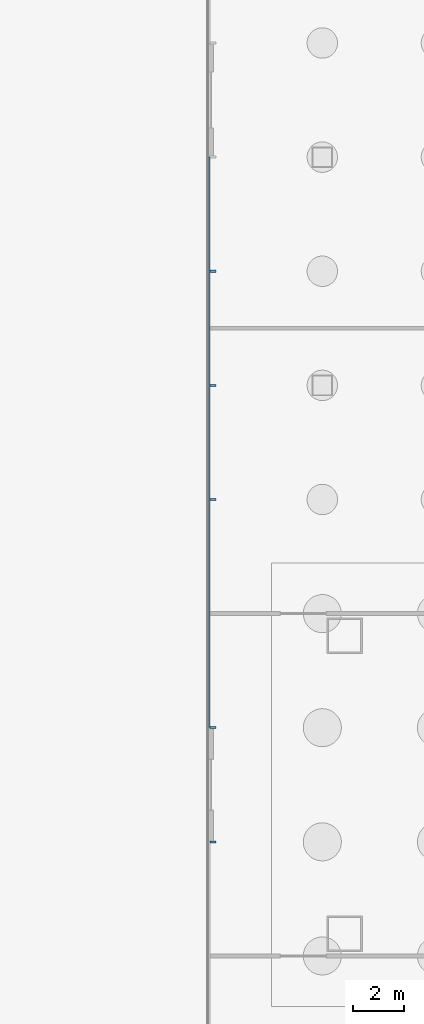
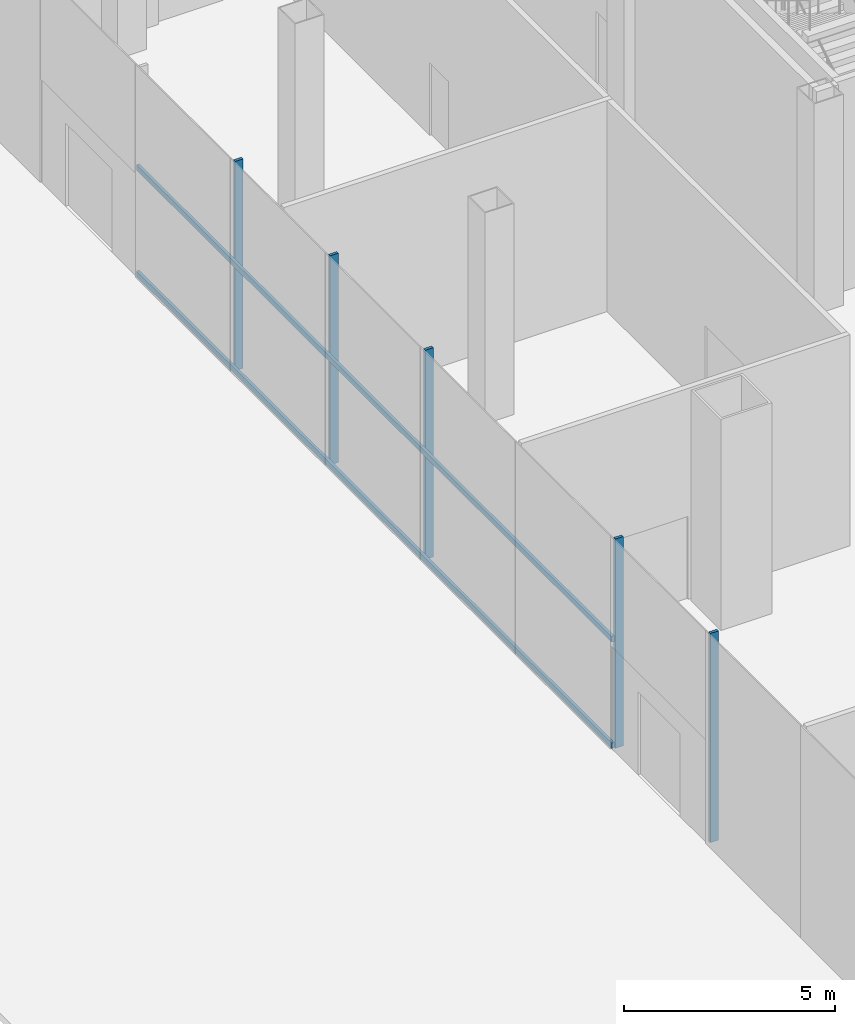
# One storey, part 9 of 37: 7 members, 1 element without a shape of its own.
"""IFC4 building model written with IfcOpenShell, lengths in metres."""

from ifc_helpers import new_model, si_unit, direction, frame, origin, origin_2d, place, context, subcontext, project, spatial, rectangle, extrude, material, layer, layer_set, material_profile, profile_set, type_object, element, aggregate, save


model = new_model("IFC4")

# Units and contexts
model_context = context("Model", 3, precision=1e-05, world=origin(), true_north=direction((0.0, 1.0)))
body_context = subcontext(model_context, "Body", "Model", "MODEL_VIEW")
ifc_project = project(units=[si_unit("LENGTHUNIT", "METRE"), si_unit("AREAUNIT", "SQUARE_METRE"), si_unit("VOLUMEUNIT", "CUBIC_METRE"), si_unit("PLANEANGLEUNIT", "RADIAN"), si_unit("MASSUNIT", "GRAM", prefix="KILO")], contexts=[model_context])

# Site, building, storey
site_placement = place(None, origin())
site = spatial("IfcSite", under=ifc_project, at=site_placement, CompositionType="ELEMENT")
building_placement = place(site_placement, origin())
building = spatial("IfcBuilding", under=site, at=building_placement, Name="Shamsa Quay Exchange Towers", CompositionType="ELEMENT")
storey_placement = place(building_placement, origin())
storey = spatial("IfcBuildingStorey", under=building, at=storey_placement, Name="L00", CompositionType="ELEMENT", Elevation=0.0)

# Curtain wall, members
ifc_material = material(Name="Aluminium EN AW-6063 T6, black anodised", Category="aluminium")
ifc_layer = layer(ifc_material, 0.33203125)
ifc_layer_set = layer_set([ifc_layer], Name="CW-3 PODIUM SHOPFRONT GLAZING")
curtain_wall_type = type_object("IfcCurtainWallType", Name="CW-3 PODIUM SHOPFRONT GLAZING", PredefinedType="NOTDEFINED", material=ifc_layer_set)
curtain_wall_placement = place(storey_placement, origin())
curtain_wall = element("IfcCurtainWall", 1, at=curtain_wall_placement, inside=storey, type_object=curtain_wall_type, Name="CW3 PODIUM-L00-F02", PredefinedType="NOTDEFINED")
ifc_material_profile_1 = material_profile(ifc_material, rectangle(XDim=0.219970703125, YDim=0.080078125, at=origin_2d()), Name="MU80x220")
ifc_profile_set_1 = profile_set([ifc_material_profile_1], Name="Aluminium EN AW-6063 T6, black anodised")
member_type_1 = type_object("IfcMemberType", Name="CW3 MULLION 80x220", PredefinedType="MULLION", material=ifc_profile_set_1)
member_1_placement = place(storey_placement, frame((-67.31005859375, 20.25, 0.0)))
member_1 = element("IfcMember", 2, at=member_1_placement, type_object=member_type_1, Name="CW3 mullion", PredefinedType="MULLION", context=body_context, shape_type="SweptSolid", body=[
    extrude(rectangle(XDim=0.219970703125, YDim=0.080078125, at=origin_2d()), origin(), (0.0, 0.0, 1.0), 6.050048828125),
])
member_2_placement = place(storey_placement, frame((-67.31005859375, 15.75, 0.0)))
member_2 = element("IfcMember", 3, at=member_2_placement, type_object=member_type_1, Name="CW3 mullion", PredefinedType="MULLION", context=body_context, shape_type="SweptSolid", body=[
    extrude(rectangle(XDim=0.219970703125, YDim=0.080078125, at=origin_2d()), origin(), (0.0, 0.0, 1.0), 6.050048828125),
])
member_3_placement = place(storey_placement, frame((-67.31005859375, 11.25, 0.0)))
member_3 = element("IfcMember", 4, at=member_3_placement, type_object=member_type_1, Name="CW3 mullion", PredefinedType="MULLION", context=body_context, shape_type="SweptSolid", body=[
    extrude(rectangle(XDim=0.219970703125, YDim=0.080078125, at=origin_2d()), origin(), (0.0, 0.0, 1.0), 6.050048828125),
])
member_4_placement = place(storey_placement, frame((-67.31005859375, 2.25, 0.0)))
member_4 = element("IfcMember", 5, at=member_4_placement, type_object=member_type_1, Name="CW3 mullion", PredefinedType="MULLION", context=body_context, shape_type="SweptSolid", body=[
    extrude(rectangle(XDim=0.219970703125, YDim=0.080078125, at=origin_2d()), origin(), (0.0, 0.0, 1.0), 6.050048828125),
])
member_5_placement = place(storey_placement, frame((-67.31005859375, -2.25, 0.0)))
member_5 = element("IfcMember", 6, at=member_5_placement, type_object=member_type_1, Name="CW3 mullion", PredefinedType="MULLION", context=body_context, shape_type="SweptSolid", body=[
    extrude(rectangle(XDim=0.219970703125, YDim=0.080078125, at=origin_2d()), origin(), (0.0, 0.0, 1.0), 6.050048828125),
])
ifc_material_profile_2 = material_profile(ifc_material, rectangle(XDim=0.080078125, YDim=0.159912109375, at=origin_2d()), Name="TR160x80")
ifc_profile_set_2 = profile_set([ifc_material_profile_2], Name="Aluminium EN AW-6063 T6, black anodised")
member_type_2 = type_object("IfcMemberType", Name="CW3 TRANSOM 160x80", PredefinedType="USERDEFINED", material=ifc_profile_set_2)
member_6_placement = place(storey_placement, frame((-67.4599609375, 24.75, 0.080078125), z_axis=(0.0, -1.0, 0.0), x_axis=(1.0, 0.0, 0.0)))
member_6 = element("IfcMember", 7, at=member_6_placement, type_object=member_type_2, Name="CW3 transom", ObjectType="TRANSOM", PredefinedType="USERDEFINED", context=body_context, shape_type="SweptSolid", body=[
    extrude(rectangle(XDim=0.080078125, YDim=0.159912109375, at=origin_2d()), origin(), (0.0, 0.0, 1.0), 22.5),
])
member_7_placement = place(storey_placement, frame((-67.4599609375, 24.75, 3.155029296875), z_axis=(0.0, -1.0, 0.0), x_axis=(1.0, 0.0, 0.0)))
member_7 = element("IfcMember", 8, at=member_7_placement, type_object=member_type_2, Name="CW3 transom", ObjectType="TRANSOM", PredefinedType="USERDEFINED", context=body_context, shape_type="SweptSolid", body=[
    extrude(rectangle(XDim=0.080078125, YDim=0.159912109375, at=origin_2d()), origin(), (0.0, 0.0, 1.0), 22.5),
])
aggregate(curtain_wall, [member_6, member_7, member_1, member_2, member_3, member_4, member_5])

save(model, "model.ifc")
